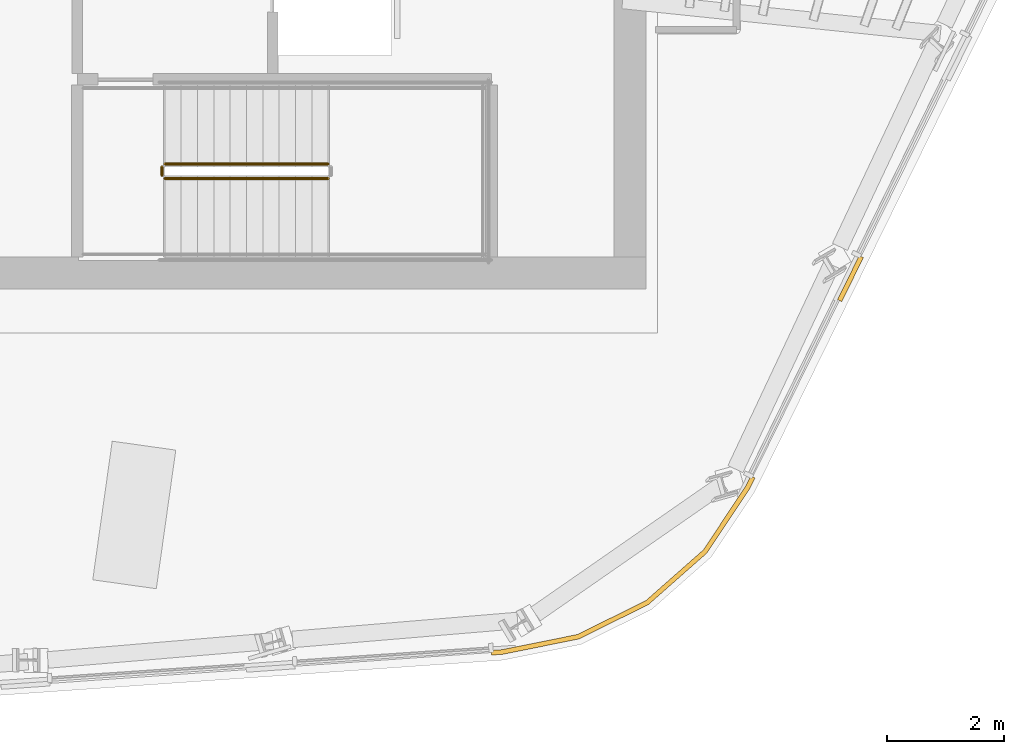
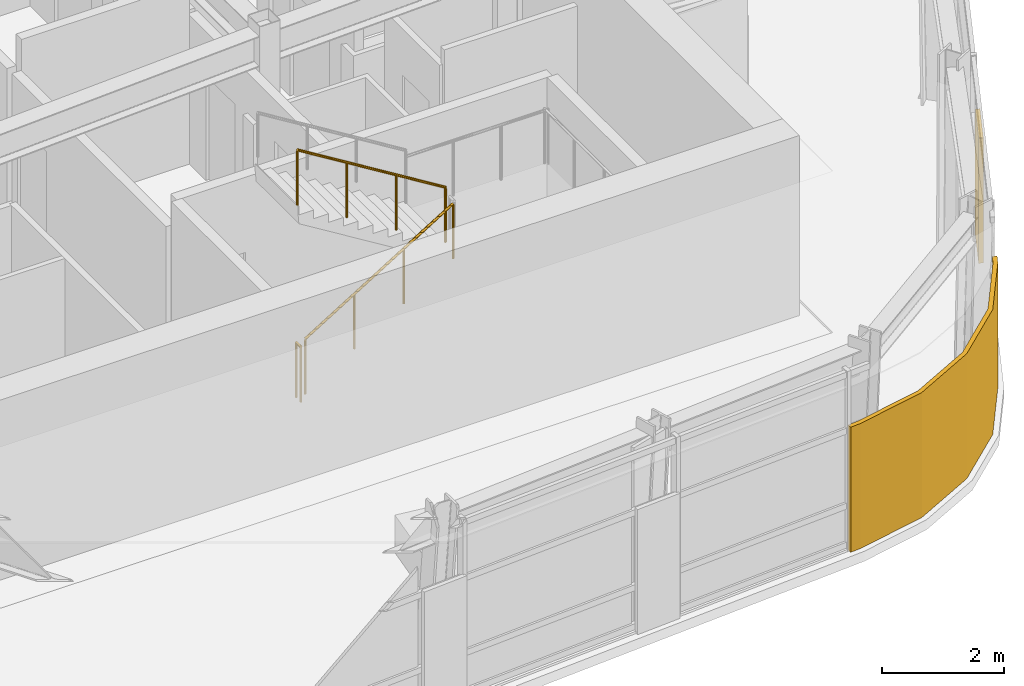
# One storey, part 9 of 14: 3 railings, 2 coverings.
"""IFC4 building model written with IfcOpenShell, lengths in metres."""

from ifc_helpers import new_model, si_unit, direction, frame, origin, origin_2d, place, context, subcontext, project, spatial, polyline, circle, outline, extrude, material, layer, layer_set, type_object, element, save


model = new_model("IFC4")

# Units and contexts
model_context = context("Model", 3, precision=1e-05, world=origin(), true_north=direction((0.0, 1.0)))
body_context = subcontext(model_context, "Body", "Model", "MODEL_VIEW")
ifc_project = project(units=[si_unit("LENGTHUNIT", "METRE"), si_unit("AREAUNIT", "SQUARE_METRE"), si_unit("VOLUMEUNIT", "CUBIC_METRE"), si_unit("PLANEANGLEUNIT", "RADIAN"), si_unit("MASSUNIT", "GRAM", prefix="KILO")], contexts=[model_context])

# Site, building, storey
site_placement = place(None, origin())
site = spatial("IfcSite", under=ifc_project, at=site_placement, CompositionType="ELEMENT")
building_placement = place(site_placement, origin())
building = spatial("IfcBuilding", under=site, at=building_placement, Name="Valkerne Bourse Tower", CompositionType="ELEMENT")
storey_placement = place(building_placement, frame((0.0, 0.0, 300.199951171875)))
storey = spatial("IfcBuildingStorey", under=building, at=storey_placement, Name="L76", CompositionType="ELEMENT", Elevation=300.199951171875)

# Coverings
ifc_material_1 = material(Name="Bronze Anodised Aluminium AA 6063-T6", Category="aluminium")
ifc_layer = layer(ifc_material_1, 0.06005859375)
ifc_layer_set = layer_set([ifc_layer], Name="Bronze Anodised Aluminium AA 6063-T6")
covering_type = type_object("IfcCoveringType", Name="COV-CRN-ALUM", PredefinedType="CLADDING", material=ifc_layer_set)
covering_1_placement = place(storey_placement, origin())
element("IfcCovering", 1, at=covering_1_placement, inside=storey, type_object=covering_type, Name="L76 Wind-Shaped Corner Aluminium Cladding 03", PredefinedType="CLADDING", context=body_context, shape_type="SweptSolid", body=[
    extrude(outline(polyline([(59.758544921875, 17.8388671875), (59.686767578125, 17.8740234375), (60.0576171875, 18.627685546875), (60.12939453125, 18.592529296875), (59.758544921875, 17.8388671875)])), origin(), (0.0, 0.0, 1.0), 2.5),
])
covering_2_placement = place(storey_placement, origin())
element("IfcCovering", 2, at=covering_2_placement, inside=storey, type_object=covering_type, Name="L76 Wind-Shaped Corner Aluminium Cladding 04", PredefinedType="CLADDING", context=body_context, shape_type="SweptSolid", body=[
    extrude(outline(polyline([(58.184814453125, 14.639892578125), (57.444580078125, 13.525390625), (56.446044921875, 12.645263671875), (55.253662109375, 12.05322265625), (53.9423828125, 11.788818359375), (53.74951171875, 11.775390625), (53.744140625, 11.855224609375), (53.931396484375, 11.868408203125), (55.2275390625, 12.129638671875), (56.40087890625, 12.712158203125), (57.3837890625, 13.57861328125), (58.115478515625, 14.6796875), (58.1982421875, 14.848388671875), (58.270263671875, 14.81298828125), (58.184814453125, 14.639892578125)])), origin(), (0.0, 0.0, 1.0), 2.5),
])

# Railings
ifc_material_2 = material(Name="Galvanised Painted Steel", Category="steel")
railing_type = type_object("IfcRailingType", Name="RLG-ST-GUARD-1120", PredefinedType="GUARDRAIL", material=ifc_material_2)
railing_1_placement = place(storey_placement, frame((48.14990234375, 19.949951171875, 0.1728515625)))
element("IfcRailing", 3, at=railing_1_placement, inside=storey, type_object=railing_type, Name="L76 ST-1 stair guard 1", PredefinedType="GUARDRAIL", context=body_context, shape_type="SweptSolid", body=[
    extrude(circle(Radius=0.02392578125, at=origin_2d()), frame((0.0, 0.0, 1.09619140625), z_axis=(0.851089632645, 0.0, 0.525020415988), x_axis=(0.0, 1.0, 0.0)), (0.0, 0.0, 1.0), 3.2900390625),
    extrude(circle(Radius=0.02099609375, at=origin_2d()), origin(), (0.0, 0.0, 1.0), 1.072021484375),
    extrude(circle(Radius=0.02099609375, at=origin_2d()), frame((0.933349609375, 0.0, 0.57568359375)), (0.0, 0.0, 1.0), 1.072021484375),
    extrude(circle(Radius=0.02099609375, at=origin_2d()), frame((1.86669921875, 0.0, 1.151611328125)), (0.0, 0.0, 1.0), 1.072021484375),
    extrude(circle(Radius=0.02099609375, at=origin_2d()), frame((2.800048828125, 0.0, 1.727294921875)), (0.0, 0.0, 1.0), 1.072021484375),
])
railing_2_placement = place(storey_placement, frame((50.949951171875, 20.199951171875, 2.07275390625)))
element("IfcRailing", 4, at=railing_2_placement, inside=storey, type_object=railing_type, Name="L76 ST-1 stair guard 6", PredefinedType="GUARDRAIL", context=body_context, shape_type="SweptSolid", body=[
    extrude(circle(Radius=0.02392578125, at=origin_2d()), frame((0.0, 0.0, 1.09619140625), z_axis=(-0.851089632645, 0.0, 0.525020415988), x_axis=(0.0, -1.0, 0.0)), (0.0, 0.0, 1.0), 3.2900390625),
    extrude(circle(Radius=0.02099609375, at=origin_2d()), origin(), (0.0, 0.0, 1.0), 1.072021484375),
    extrude(circle(Radius=0.02099609375, at=origin_2d()), frame((-0.933349609375, 0.0, 0.57568359375)), (0.0, 0.0, 1.0), 1.072021484375),
    extrude(circle(Radius=0.02099609375, at=origin_2d()), frame((-1.86669921875, 0.0, 1.151611328125)), (0.0, 0.0, 1.0), 1.072021484375),
    extrude(circle(Radius=0.02099609375, at=origin_2d()), frame((-2.800048828125, 0.0, 1.727294921875)), (0.0, 0.0, 1.0), 1.072021484375),
])
railing_3_placement = place(storey_placement, frame((48.10009765625, 20.0, 0.0)))
element("IfcRailing", 5, at=railing_3_placement, inside=storey, type_object=railing_type, Name="L76 ST-1 stair guard 7", PredefinedType="GUARDRAIL", context=body_context, shape_type="SweptSolid", body=[
    extrude(circle(Radius=0.02392578125, at=origin_2d()), frame((0.0, 0.0, 1.09619140625), z_axis=(0.0, 1.0, 0.0), x_axis=(-1.0, 0.0, 0.0)), (0.0, 0.0, 1.0), 0.14990234375),
    extrude(circle(Radius=0.02099609375, at=origin_2d()), origin(), (0.0, 0.0, 1.0), 1.072021484375),
    extrude(circle(Radius=0.02099609375, at=origin_2d()), frame((0.0, 0.14990234375, 0.0)), (0.0, 0.0, 1.0), 1.072021484375),
])

save(model, "model.ifc")
